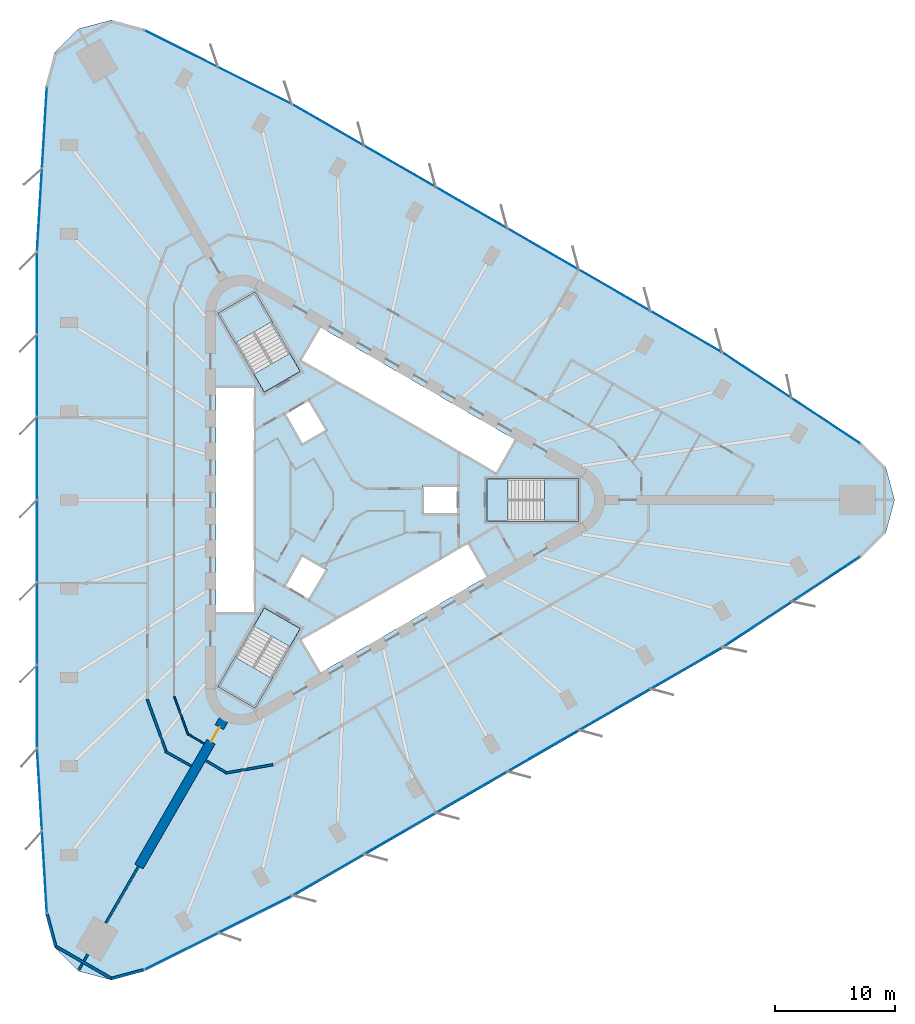
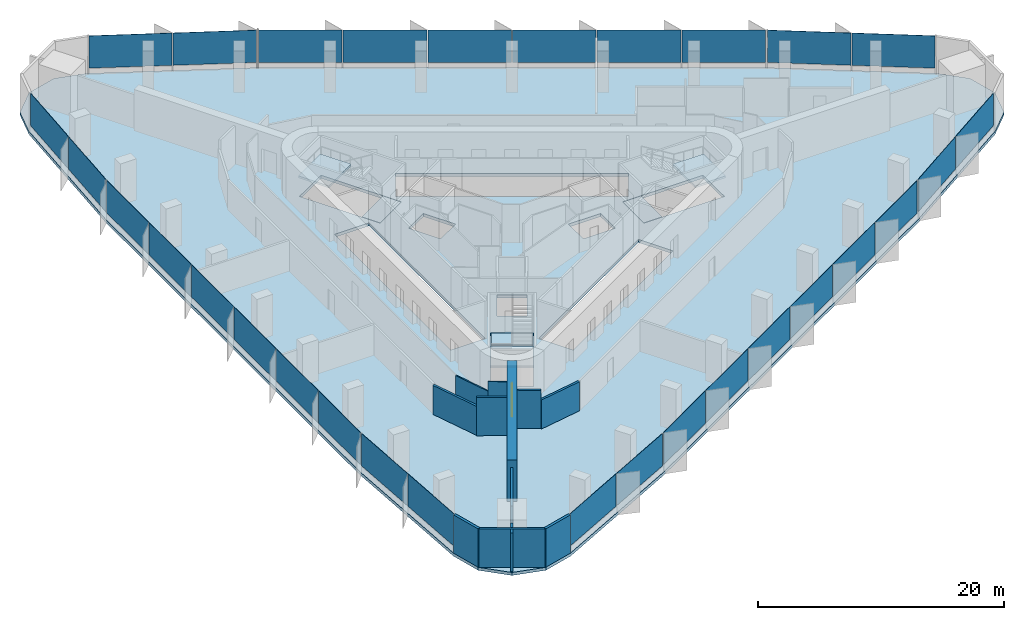
# One storey, part 8 of 14: 30 plates, 13 walls, 7 slabs, 1 door, 1 opening, 12 elements without a shape of their own.
"""IFC4 building model written with IfcOpenShell, lengths in metres."""

from ifc_helpers import new_model, si_unit, direction, frame, frame_2d, origin, origin_2d, place, context, subcontext, project, spatial, polyline, rectangle, outline, extrude, material, layer, layer_set, type_object, element, fill, aggregate, save


model = new_model("IFC4")

# Units and contexts
model_context = context("Model", 3, precision=1e-05, world=origin(), true_north=direction((0.0, 1.0)))
body_context = subcontext(model_context, "Body", "Model", "MODEL_VIEW")
ifc_project = project(units=[si_unit("LENGTHUNIT", "METRE"), si_unit("AREAUNIT", "SQUARE_METRE"), si_unit("VOLUMEUNIT", "CUBIC_METRE"), si_unit("PLANEANGLEUNIT", "RADIAN"), si_unit("MASSUNIT", "GRAM", prefix="KILO")], contexts=[model_context])

# Site, building, storey
site_placement = place(None, origin())
site = spatial("IfcSite", under=ifc_project, at=site_placement, CompositionType="ELEMENT")
building_placement = place(site_placement, origin())
building = spatial("IfcBuilding", under=site, at=building_placement, Name="Tanit Gate Tower", CompositionType="ELEMENT")
storey_placement = place(building_placement, frame((0.0, 0.0, 53.699951171875)))
storey = spatial("IfcBuildingStorey", under=building, at=storey_placement, Name="L09", CompositionType="ELEMENT", Elevation=53.699951171875)

# Slab
ifc_material_1 = material(Name="Concrete C35/45", Category="concrete")
ifc_layer_1 = layer(ifc_material_1, 0.300048828125)
ifc_layer_set_1 = layer_set([ifc_layer_1], Name="FLOOR SLAB 300 C35/45")
slab_type_1 = type_object("IfcSlabType", Name="FLOOR SLAB 300 C35/45", PredefinedType="FLOOR", material=ifc_layer_set_1)
slab_1_placement = place(storey_placement, frame((0.0, 0.0, -0.300048828125)))
element("IfcSlab", 1, at=slab_1_placement, inside=storey, type_object=slab_type_1, Name="FLOOR SLAB L09", PredefinedType="FLOOR", context=body_context, shape_type="SweptSolid", body=[
    extrude(outline(polyline([(42.5634765625, 4.75927734375), (44.574951171875, 2.747802734375), (45.311279296875, 0.0), (44.574951171875, -2.747802734375), (42.5634765625, -4.75927734375), (31.030517578125, -12.368896484375), (-4.80224609375, -33.06005859375), (-17.16015625, -39.24072265625), (-19.907958984375, -39.97705078125), (-22.655517578125, -39.24072265625), (-24.6669921875, -37.229248046875), (-25.4033203125, -34.4814453125), (-26.22705078125, -20.68896484375), (-26.229736328125, 20.68896484375), (-25.4033203125, 34.4814453125), (-24.6669921875, 37.229248046875), (-22.655517578125, 39.24072265625), (-19.907958984375, 39.97705078125), (-17.16015625, 39.24072265625), (-4.8037109375, 33.0576171875), (31.031982421875, 12.371337890625), (42.5634765625, 4.75927734375)]), holes=[polyline([(11.3701171875, 1.72998046875), (18.929931640625, 1.72998046875), (18.929931640625, -1.72998046875), (11.3701171875, -1.72998046875), (11.3701171875, 1.72998046875)]), polyline([(-4.208984375, 11.60986328125), (-2.583984375, 14.424560546875), (13.783935546875, 4.974609375), (12.158935546875, 2.159912109375), (-4.208984375, 11.60986328125)]), polyline([(-4.208984375, -11.60986328125), (9.82080078125, -3.510009765625), (11.44580078125, -6.324462890625), (-2.583984375, -14.424560546875), (-4.208984375, -11.60986328125)]), polyline([(9.0, 1.199951171875), (9.0, -1.199951171875), (6.0, -1.199951171875), (6.0, 1.199951171875), (9.0, 1.199951171875)]), polyline([(-5.539306640625, 7.194091796875), (-3.460693359375, 8.394287109375), (-1.960693359375, 5.796142578125), (-4.039306640625, 4.59619140625), (-5.539306640625, 7.194091796875)]), polyline([(-1.960693359375, -5.796142578125), (-3.460693359375, -8.394287109375), (-5.539306640625, -7.194091796875), (-4.039306640625, -4.59619140625), (-1.960693359375, -5.796142578125)]), polyline([(-10.963134765625, 15.52880859375), (-7.966796875, 17.2587890625), (-4.186767578125, 10.711669921875), (-7.18310546875, 8.981689453125), (-10.963134765625, 15.52880859375)]), polyline([(-4.186767578125, -10.711669921875), (-7.966796875, -17.2587890625), (-10.963134765625, -15.52880859375), (-7.18310546875, -8.981689453125), (-4.186767578125, -10.711669921875)]), polyline([(-11.199951171875, -9.449951171875), (-11.199951171875, 9.449951171875), (-7.949951171875, 9.449951171875), (-7.949951171875, -9.449951171875), (-11.199951171875, -9.449951171875)])]), origin(), (0.0, 0.0, 1.0), 0.300048828125),
])

# Curtain wall, plates
ifc_material_2 = material(Name="Aluminium bronze anodised and glass", Category="aluminium")
curtain_wall_type = type_object("IfcCurtainWallType", Name="Curtain wall typical low", PredefinedType="NOTDEFINED", material=ifc_material_2)
curtain_wall_1_placement = place(storey_placement, origin())
curtain_wall_1 = element("IfcCurtainWall", 2, at=curtain_wall_1_placement, inside=storey, type_object=curtain_wall_type, Name="Curtain wall L09 NE1", PredefinedType="NOTDEFINED")
ifc_material_3 = material(Name="Glass tinted", Category="glass")
ifc_layer_2 = layer(ifc_material_3, 0.031982421875)
ifc_layer_set_2 = layer_set([ifc_layer_2], Name="Glass panel 32 typical low")
plate_type = type_object("IfcPlateType", Name="Glass panel 32 typical low", PredefinedType="CURTAIN_PANEL", material=ifc_layer_set_2)
plate_1_placement = place(storey_placement, frame((39.591064453125, 6.57763671875, 0.60009765625), z_axis=(0.0, 0.0, 1.0), x_axis=(-0.834569178545, 0.550903155031, 0.0)))
plate_1 = element("IfcPlate", 3, at=plate_1_placement, type_object=plate_type, Name="Glass panel L09 NE1.1", PredefinedType="CURTAIN_PANEL", context=body_context, shape_type="SweptSolid", body=[
    extrude(rectangle(XDim=6.78076171875, YDim=0.031982421875, at=origin_2d()), origin(), (0.0, 0.0, 1.0), 3.199951171875),
])
plate_2_placement = place(storey_placement, frame((33.865234375, 10.357421875, 0.60009765625), z_axis=(0.0, 0.0, 1.0), x_axis=(-0.834569178545, 0.550903155031, 0.0)))
plate_2 = element("IfcPlate", 4, at=plate_2_placement, type_object=plate_type, Name="Glass panel L09 NE1.2", PredefinedType="CURTAIN_PANEL", context=body_context, shape_type="SweptSolid", body=[
    extrude(rectangle(XDim=6.78076171875, YDim=0.031982421875, at=origin_2d()), origin(), (0.0, 0.0, 1.0), 3.199951171875),
])
aggregate(curtain_wall_1, [plate_1, plate_2])

curtain_wall_2_placement = place(storey_placement, origin())
curtain_wall_2 = element("IfcCurtainWall", 5, at=curtain_wall_2_placement, inside=storey, type_object=curtain_wall_type, Name="Curtain wall L09 NE2", PredefinedType="NOTDEFINED")
plate_3_placement = place(storey_placement, frame((27.954345703125, 14.00927734375, 0.60009765625), z_axis=(0.0, 0.0, 1.0), x_axis=(-0.866060071089, 0.49993994966, 0.0)))
plate_3 = element("IfcPlate", 6, at=plate_3_placement, type_object=plate_type, Name="Glass panel L09 NE2.1", PredefinedType="CURTAIN_PANEL", context=body_context, shape_type="SweptSolid", body=[
    extrude(rectangle(XDim=6.8017578125, YDim=0.031982421875, at=origin_2d()), origin(), (0.0, 0.0, 1.0), 3.199951171875),
])
plate_4_placement = place(storey_placement, frame((21.994140625, 17.449951171875, 0.60009765625), z_axis=(0.0, 0.0, 1.0), x_axis=(-0.866060071089, 0.49993994966, 0.0)))
plate_4 = element("IfcPlate", 7, at=plate_4_placement, type_object=plate_type, Name="Glass panel L09 NE2.2", PredefinedType="CURTAIN_PANEL", context=body_context, shape_type="SweptSolid", body=[
    extrude(rectangle(XDim=6.8017578125, YDim=0.031982421875, at=origin_2d()), origin(), (0.0, 0.0, 1.0), 3.199951171875),
])
plate_5_placement = place(storey_placement, frame((16.0341796875, 20.890380859375, 0.60009765625), z_axis=(0.0, 0.0, 1.0), x_axis=(-0.866060071089, 0.49993994966, 0.0)))
plate_5 = element("IfcPlate", 8, at=plate_5_placement, type_object=plate_type, Name="Glass panel L09 NE2.3", PredefinedType="CURTAIN_PANEL", context=body_context, shape_type="SweptSolid", body=[
    extrude(rectangle(XDim=6.8017578125, YDim=0.031982421875, at=origin_2d()), origin(), (0.0, 0.0, 1.0), 3.199951171875),
])
plate_6_placement = place(storey_placement, frame((10.07421875, 24.330810546875, 0.60009765625), z_axis=(0.0, 0.0, 1.0), x_axis=(-0.866060071089, 0.49993994966, 0.0)))
plate_6 = element("IfcPlate", 9, at=plate_6_placement, type_object=plate_type, Name="Glass panel L09 NE2.4", PredefinedType="CURTAIN_PANEL", context=body_context, shape_type="SweptSolid", body=[
    extrude(rectangle(XDim=6.8017578125, YDim=0.031982421875, at=origin_2d()), origin(), (0.0, 0.0, 1.0), 3.199951171875),
])
plate_7_placement = place(storey_placement, frame((4.1142578125, 27.771240234375, 0.60009765625), z_axis=(0.0, 0.0, 1.0), x_axis=(-0.866060071089, 0.49993994966, 0.0)))
plate_7 = element("IfcPlate", 10, at=plate_7_placement, type_object=plate_type, Name="Glass panel L09 NE2.5", PredefinedType="CURTAIN_PANEL", context=body_context, shape_type="SweptSolid", body=[
    extrude(rectangle(XDim=6.8017578125, YDim=0.031982421875, at=origin_2d()), origin(), (0.0, 0.0, 1.0), 3.199951171875),
])
plate_8_placement = place(storey_placement, frame((-1.845703125, 31.211669921875, 0.60009765625), z_axis=(0.0, 0.0, 1.0), x_axis=(-0.866060071089, 0.49993994966, 0.0)))
plate_8 = element("IfcPlate", 11, at=plate_8_placement, type_object=plate_type, Name="Glass panel L09 NE2.6", PredefinedType="CURTAIN_PANEL", context=body_context, shape_type="SweptSolid", body=[
    extrude(rectangle(XDim=6.8017578125, YDim=0.031982421875, at=origin_2d()), origin(), (0.0, 0.0, 1.0), 3.199951171875),
])
aggregate(curtain_wall_2, [plate_3, plate_4, plate_5, plate_6, plate_7, plate_8])

curtain_wall_3_placement = place(storey_placement, origin())
curtain_wall_3 = element("IfcCurtainWall", 12, at=curtain_wall_3_placement, inside=storey, type_object=curtain_wall_type, Name="Curtain wall L09 NE3", PredefinedType="NOTDEFINED")
plate_9_placement = place(storey_placement, frame((-7.9638671875, 34.5048828125, 0.60009765625), z_axis=(0.0, 0.0, 1.0), x_axis=(-0.894287982019, 0.447491905196, 0.0)))
plate_9 = element("IfcPlate", 13, at=plate_9_placement, type_object=plate_type, Name="Glass panel L09 NE3.1", PredefinedType="CURTAIN_PANEL", context=body_context, shape_type="SweptSolid", body=[
    extrude(rectangle(XDim=6.78076171875, YDim=0.031982421875, at=origin_2d()), origin(), (0.0, 0.0, 1.0), 3.199951171875),
])
plate_10_placement = place(storey_placement, frame((-14.099365234375, 37.574951171875, 0.60009765625), z_axis=(0.0, 0.0, 1.0), x_axis=(-0.894287982019, 0.447491905196, 0.0)))
plate_10 = element("IfcPlate", 14, at=plate_10_placement, type_object=plate_type, Name="Glass panel L09 NE3.2", PredefinedType="CURTAIN_PANEL", context=body_context, shape_type="SweptSolid", body=[
    extrude(rectangle(XDim=6.78076171875, YDim=0.031982421875, at=origin_2d()), origin(), (0.0, 0.0, 1.0), 3.199951171875),
])
aggregate(curtain_wall_3, [plate_9, plate_10])

curtain_wall_4_placement = place(storey_placement, origin())
curtain_wall_4 = element("IfcCurtainWall", 15, at=curtain_wall_4_placement, inside=storey, type_object=curtain_wall_type, Name="Curtain wall L09 W1", PredefinedType="NOTDEFINED")
plate_11_placement = place(storey_placement, frame((-25.491943359375, 30.998046875, 0.60009765625), z_axis=(0.0, 0.0, 1.0), x_axis=(-0.059811538009, -0.998209687351, 0.0)))
plate_11 = element("IfcPlate", 16, at=plate_11_placement, type_object=plate_type, Name="Glass panel L09 W1.1", PredefinedType="CURTAIN_PANEL", context=body_context, shape_type="SweptSolid", body=[
    extrude(rectangle(XDim=6.78076171875, YDim=0.031982421875, at=origin_2d()), origin(), (0.0, 0.0, 1.0), 3.199951171875),
])
plate_12_placement = place(storey_placement, frame((-25.90234375, 24.1494140625, 0.60009765625), z_axis=(0.0, 0.0, 1.0), x_axis=(-0.059811538009, -0.998209687351, 0.0)))
plate_12 = element("IfcPlate", 17, at=plate_12_placement, type_object=plate_type, Name="Glass panel L09 W1.2", PredefinedType="CURTAIN_PANEL", context=body_context, shape_type="SweptSolid", body=[
    extrude(rectangle(XDim=6.78076171875, YDim=0.031982421875, at=origin_2d()), origin(), (0.0, 0.0, 1.0), 3.199951171875),
])
aggregate(curtain_wall_4, [plate_11, plate_12])

curtain_wall_5_placement = place(storey_placement, origin())
curtain_wall_5 = element("IfcCurtainWall", 18, at=curtain_wall_5_placement, inside=storey, type_object=curtain_wall_type, Name="Curtain wall L09 W2", PredefinedType="NOTDEFINED")
plate_13_placement = place(storey_placement, frame((-26.109619140625, 17.204345703125, 0.60009765625), z_axis=(0.0, 0.0, 1.0), x_axis=(6.9338772e-05, -0.999999997596, 0.0)))
plate_13 = element("IfcPlate", 19, at=plate_13_placement, type_object=plate_type, Name="Glass panel L09 W2.1", PredefinedType="CURTAIN_PANEL", context=body_context, shape_type="SweptSolid", body=[
    extrude(rectangle(XDim=6.8017578125, YDim=0.031982421875, at=origin_2d()), origin(), (0.0, 0.0, 1.0), 3.199951171875),
])
plate_14_placement = place(storey_placement, frame((-26.109130859375, 10.322509765625, 0.60009765625), z_axis=(0.0, 0.0, 1.0), x_axis=(6.9338772e-05, -0.999999997596, 0.0)))
plate_14 = element("IfcPlate", 20, at=plate_14_placement, type_object=plate_type, Name="Glass panel L09 W2.2", PredefinedType="CURTAIN_PANEL", context=body_context, shape_type="SweptSolid", body=[
    extrude(rectangle(XDim=6.8017578125, YDim=0.031982421875, at=origin_2d()), origin(), (0.0, 0.0, 1.0), 3.199951171875),
])
plate_15_placement = place(storey_placement, frame((-26.108642578125, 3.44091796875, 0.60009765625), z_axis=(0.0, 0.0, 1.0), x_axis=(6.9338772e-05, -0.999999997596, 0.0)))
plate_15 = element("IfcPlate", 21, at=plate_15_placement, type_object=plate_type, Name="Glass panel L09 W2.3", PredefinedType="CURTAIN_PANEL", context=body_context, shape_type="SweptSolid", body=[
    extrude(rectangle(XDim=6.8017578125, YDim=0.031982421875, at=origin_2d()), origin(), (0.0, 0.0, 1.0), 3.199951171875),
])
plate_16_placement = place(storey_placement, frame((-26.108154296875, -3.44091796875, 0.60009765625), z_axis=(0.0, 0.0, 1.0), x_axis=(6.9338772e-05, -0.999999997596, 0.0)))
plate_16 = element("IfcPlate", 22, at=plate_16_placement, type_object=plate_type, Name="Glass panel L09 W2.4", PredefinedType="CURTAIN_PANEL", context=body_context, shape_type="SweptSolid", body=[
    extrude(rectangle(XDim=6.8017578125, YDim=0.031982421875, at=origin_2d()), origin(), (0.0, 0.0, 1.0), 3.199951171875),
])
plate_17_placement = place(storey_placement, frame((-26.107666015625, -10.322509765625, 0.60009765625), z_axis=(0.0, 0.0, 1.0), x_axis=(6.9338772e-05, -0.999999997596, 0.0)))
plate_17 = element("IfcPlate", 23, at=plate_17_placement, type_object=plate_type, Name="Glass panel L09 W2.5", PredefinedType="CURTAIN_PANEL", context=body_context, shape_type="SweptSolid", body=[
    extrude(rectangle(XDim=6.8017578125, YDim=0.031982421875, at=origin_2d()), origin(), (0.0, 0.0, 1.0), 3.199951171875),
])
plate_18_placement = place(storey_placement, frame((-26.107177734375, -17.204345703125, 0.60009765625), z_axis=(0.0, 0.0, 1.0), x_axis=(6.9338772e-05, -0.999999997596, 0.0)))
plate_18 = element("IfcPlate", 24, at=plate_18_placement, type_object=plate_type, Name="Glass panel L09 W2.6", PredefinedType="CURTAIN_PANEL", context=body_context, shape_type="SweptSolid", body=[
    extrude(rectangle(XDim=6.8017578125, YDim=0.031982421875, at=origin_2d()), origin(), (0.0, 0.0, 1.0), 3.199951171875),
])
aggregate(curtain_wall_5, [plate_13, plate_14, plate_15, plate_16, plate_17, plate_18])

curtain_wall_6_placement = place(storey_placement, origin())
curtain_wall_6 = element("IfcCurtainWall", 25, at=curtain_wall_6_placement, inside=storey, type_object=curtain_wall_type, Name="Curtain wall L09 W3", PredefinedType="NOTDEFINED")
plate_19_placement = place(storey_placement, frame((-25.900146484375, -24.1494140625, 0.60009765625), z_axis=(0.0, 0.0, 1.0), x_axis=(0.059604633121, -0.998222063326, 0.0)))
plate_19 = element("IfcPlate", 26, at=plate_19_placement, type_object=plate_type, Name="Glass panel L09 W3.1", PredefinedType="CURTAIN_PANEL", context=body_context, shape_type="SweptSolid", body=[
    extrude(rectangle(XDim=6.78076171875, YDim=0.031982421875, at=origin_2d()), origin(), (0.0, 0.0, 1.0), 3.199951171875),
])
plate_20_placement = place(storey_placement, frame((-25.4912109375, -30.998046875, 0.60009765625), z_axis=(0.0, 0.0, 1.0), x_axis=(0.059604633121, -0.998222063326, 0.0)))
plate_20 = element("IfcPlate", 27, at=plate_20_placement, type_object=plate_type, Name="Glass panel L09 W3.2", PredefinedType="CURTAIN_PANEL", context=body_context, shape_type="SweptSolid", body=[
    extrude(rectangle(XDim=6.78076171875, YDim=0.031982421875, at=origin_2d()), origin(), (0.0, 0.0, 1.0), 3.199951171875),
])
aggregate(curtain_wall_6, [plate_19, plate_20])

curtain_wall_7_placement = place(storey_placement, origin())
curtain_wall_7 = element("IfcCurtainWall", 28, at=curtain_wall_7_placement, inside=storey, type_object=curtain_wall_type, Name="Curtain wall L09 SE1", PredefinedType="NOTDEFINED")
plate_21_placement = place(storey_placement, frame((-14.09912109375, -37.57568359375, 0.60009765625), z_axis=(0.0, 0.0, 1.0), x_axis=(0.894380716554, 0.44730653232, 0.0)))
plate_21 = element("IfcPlate", 29, at=plate_21_placement, type_object=plate_type, Name="Glass panel L09 SE1.1", PredefinedType="CURTAIN_PANEL", context=body_context, shape_type="SweptSolid", body=[
    extrude(rectangle(XDim=6.78076171875, YDim=0.031982421875, at=origin_2d()), origin(), (0.0, 0.0, 1.0), 3.199951171875),
])
plate_22_placement = place(storey_placement, frame((-7.962890625, -34.5068359375, 0.60009765625), z_axis=(0.0, 0.0, 1.0), x_axis=(0.894380716554, 0.44730653232, 0.0)))
plate_22 = element("IfcPlate", 30, at=plate_22_placement, type_object=plate_type, Name="Glass panel L09 SE1.2", PredefinedType="CURTAIN_PANEL", context=body_context, shape_type="SweptSolid", body=[
    extrude(rectangle(XDim=6.78076171875, YDim=0.031982421875, at=origin_2d()), origin(), (0.0, 0.0, 1.0), 3.199951171875),
])
aggregate(curtain_wall_7, [plate_21, plate_22])

curtain_wall_8_placement = place(storey_placement, origin())
curtain_wall_8 = element("IfcCurtainWall", 31, at=curtain_wall_8_placement, inside=storey, type_object=curtain_wall_type, Name="Curtain wall L09 SE2", PredefinedType="NOTDEFINED")
plate_23_placement = place(storey_placement, frame((-1.8447265625, -31.2138671875, 0.60009765625), z_axis=(0.0, 0.0, 1.0), x_axis=(0.865990732317, 0.500060047936, 0.0)))
plate_23 = element("IfcPlate", 32, at=plate_23_placement, type_object=plate_type, Name="Glass panel L09 SE2.1", PredefinedType="CURTAIN_PANEL", context=body_context, shape_type="SweptSolid", body=[
    extrude(rectangle(XDim=6.8017578125, YDim=0.031982421875, at=origin_2d()), origin(), (0.0, 0.0, 1.0), 3.199951171875),
])
plate_24_placement = place(storey_placement, frame((4.114990234375, -27.7724609375, 0.60009765625), z_axis=(0.0, 0.0, 1.0), x_axis=(0.865990732317, 0.500060047936, 0.0)))
plate_24 = element("IfcPlate", 33, at=plate_24_placement, type_object=plate_type, Name="Glass panel L09 SE2.2", PredefinedType="CURTAIN_PANEL", context=body_context, shape_type="SweptSolid", body=[
    extrude(rectangle(XDim=6.8017578125, YDim=0.031982421875, at=origin_2d()), origin(), (0.0, 0.0, 1.0), 3.199951171875),
])
plate_25_placement = place(storey_placement, frame((10.074462890625, -24.331298828125, 0.60009765625), z_axis=(0.0, 0.0, 1.0), x_axis=(0.865990732317, 0.500060047936, 0.0)))
plate_25 = element("IfcPlate", 34, at=plate_25_placement, type_object=plate_type, Name="Glass panel L09 SE2.3", PredefinedType="CURTAIN_PANEL", context=body_context, shape_type="SweptSolid", body=[
    extrude(rectangle(XDim=6.8017578125, YDim=0.031982421875, at=origin_2d()), origin(), (0.0, 0.0, 1.0), 3.199951171875),
])
plate_26_placement = place(storey_placement, frame((16.033935546875, -20.889892578125, 0.60009765625), z_axis=(0.0, 0.0, 1.0), x_axis=(0.865990732317, 0.500060047936, 0.0)))
plate_26 = element("IfcPlate", 35, at=plate_26_placement, type_object=plate_type, Name="Glass panel L09 SE2.4", PredefinedType="CURTAIN_PANEL", context=body_context, shape_type="SweptSolid", body=[
    extrude(rectangle(XDim=6.8017578125, YDim=0.031982421875, at=origin_2d()), origin(), (0.0, 0.0, 1.0), 3.199951171875),
])
plate_27_placement = place(storey_placement, frame((21.993408203125, -17.44873046875, 0.60009765625), z_axis=(0.0, 0.0, 1.0), x_axis=(0.865990732317, 0.500060047936, 0.0)))
plate_27 = element("IfcPlate", 36, at=plate_27_placement, type_object=plate_type, Name="Glass panel L09 SE2.5", PredefinedType="CURTAIN_PANEL", context=body_context, shape_type="SweptSolid", body=[
    extrude(rectangle(XDim=6.8017578125, YDim=0.031982421875, at=origin_2d()), origin(), (0.0, 0.0, 1.0), 3.199951171875),
])
plate_28_placement = place(storey_placement, frame((27.953125, -14.00732421875, 0.60009765625), z_axis=(0.0, 0.0, 1.0), x_axis=(0.865990732317, 0.500060047936, 0.0)))
plate_28 = element("IfcPlate", 37, at=plate_28_placement, type_object=plate_type, Name="Glass panel L09 SE2.6", PredefinedType="CURTAIN_PANEL", context=body_context, shape_type="SweptSolid", body=[
    extrude(rectangle(XDim=6.8017578125, YDim=0.031982421875, at=origin_2d()), origin(), (0.0, 0.0, 1.0), 3.199951171875),
])
aggregate(curtain_wall_8, [plate_23, plate_24, plate_25, plate_26, plate_27, plate_28])

curtain_wall_9_placement = place(storey_placement, origin())
curtain_wall_9 = element("IfcCurtainWall", 38, at=curtain_wall_9_placement, inside=storey, type_object=curtain_wall_type, Name="Curtain wall L09 SE3", PredefinedType="NOTDEFINED")
plate_29_placement = place(storey_placement, frame((33.864013671875, -10.35546875, 0.60009765625), z_axis=(0.0, 0.0, 1.0), x_axis=(0.834683348898, 0.550730158129, 0.0)))
plate_29 = element("IfcPlate", 39, at=plate_29_placement, type_object=plate_type, Name="Glass panel L09 SE3.1", PredefinedType="CURTAIN_PANEL", context=body_context, shape_type="SweptSolid", body=[
    extrude(rectangle(XDim=6.78076171875, YDim=0.031982421875, at=origin_2d()), origin(), (0.0, 0.0, 1.0), 3.199951171875),
])
plate_30_placement = place(storey_placement, frame((39.590576171875, -6.5771484375, 0.60009765625), z_axis=(0.0, 0.0, 1.0), x_axis=(0.834683348898, 0.550730158129, 0.0)))
plate_30 = element("IfcPlate", 40, at=plate_30_placement, type_object=plate_type, Name="Glass panel L09 SE3.2", PredefinedType="CURTAIN_PANEL", context=body_context, shape_type="SweptSolid", body=[
    extrude(rectangle(XDim=6.78076171875, YDim=0.031982421875, at=origin_2d()), origin(), (0.0, 0.0, 1.0), 3.199951171875),
])
aggregate(curtain_wall_9, [plate_29, plate_30])

# Stair, slab
ifc_material_4 = material(Name="Concrete C40/50", Category="concrete")
stair_type = type_object("IfcStairType", Name="INT-STAIR-EXIT", PredefinedType="HALF_TURN_STAIR", material=ifc_material_4)
stair_1_placement = place(storey_placement, origin())
stair_1 = element("IfcStair", 41, at=stair_1_placement, inside=storey, type_object=stair_type, Name="L09 STAIR S1", PredefinedType="HALF_TURN_STAIR")
ifc_material_5 = material(Name="Concrete C40/50", Category="concrete")
ifc_layer_3 = layer(ifc_material_5, 0.199951171875)
ifc_layer_set_3 = layer_set([ifc_layer_3], Name="INT-STAIR-LANDING")
slab_type_2 = type_object("IfcSlabType", Name="INT-STAIR-LANDING", PredefinedType="LANDING", material=ifc_layer_set_3)
slab_2_placement = place(storey_placement, frame((0.0, 0.0, 1.85009765625)))
slab_2 = element("IfcSlab", 42, at=slab_2_placement, type_object=slab_type_2, Name="S1 landing 1", PredefinedType="LANDING", context=body_context, shape_type="SweptSolid", body=[
    extrude(outline(polyline([(16.135986328125, -1.800048828125), (19.0, -1.800048828125), (19.0, 1.800048828125), (16.135986328125, 1.800048828125), (16.135986328125, -1.800048828125)])), origin(), (0.0, 0.0, 1.0), 0.199951171875),
])
aggregate(stair_1, [slab_2])

# Slab
slab_3_placement = place(storey_placement, frame((0.0, 0.0, -0.199951171875)))
element("IfcSlab", 43, at=slab_3_placement, inside=storey, type_object=slab_type_2, Name="S1 floor landing", PredefinedType="LANDING", context=body_context, shape_type="SweptSolid", body=[
    extrude(outline(polyline([(11.3798828125, -1.719970703125), (13.10498046875, -1.719970703125), (13.10498046875, 1.719970703125), (11.3798828125, 1.719970703125), (11.3798828125, -1.719970703125)])), origin(), (0.0, 0.0, 1.0), 0.199951171875),
])

# Stair, slab
stair_2_placement = place(storey_placement, origin())
stair_2 = element("IfcStair", 44, at=stair_2_placement, inside=storey, type_object=stair_type, Name="L09 STAIR S2", PredefinedType="HALF_TURN_STAIR")
slab_4_placement = place(storey_placement, frame((0.0, 0.0, 1.85009765625)))
slab_4 = element("IfcSlab", 45, at=slab_4_placement, type_object=slab_type_2, Name="S2 landing 1", PredefinedType="LANDING", context=body_context, shape_type="SweptSolid", body=[
    extrude(outline(polyline([(-6.5078125, 14.871826171875), (-7.941162109375, 17.3544921875), (-11.058837890625, 15.554443359375), (-9.62548828125, 13.07177734375), (-6.5078125, 14.871826171875)])), origin(), (0.0, 0.0, 1.0), 0.199951171875),
])
aggregate(stair_2, [slab_4])

# Slab
slab_5_placement = place(storey_placement, frame((0.0, 0.0, -0.199951171875)))
element("IfcSlab", 46, at=slab_5_placement, inside=storey, type_object=slab_type_2, Name="S2 floor landing", PredefinedType="LANDING", context=body_context, shape_type="SweptSolid", body=[
    extrude(outline(polyline([(-4.200439453125, 10.71533203125), (-5.0625, 12.20849609375), (-8.04150390625, 10.48828125), (-7.179443359375, 8.995361328125), (-4.200439453125, 10.71533203125)])), origin(), (0.0, 0.0, 1.0), 0.199951171875),
])

# Stair, slab
stair_3_placement = place(storey_placement, origin())
stair_3 = element("IfcStair", 47, at=stair_3_placement, inside=storey, type_object=stair_type, Name="L09 STAIR S3", PredefinedType="HALF_TURN_STAIR")
slab_6_placement = place(storey_placement, frame((0.0, 0.0, 1.85009765625)))
slab_6 = element("IfcSlab", 48, at=slab_6_placement, type_object=slab_type_2, Name="S3 landing 1", PredefinedType="LANDING", context=body_context, shape_type="SweptSolid", body=[
    extrude(outline(polyline([(-9.626953125, -13.07421875), (-11.058837890625, -15.554443359375), (-7.941162109375, -17.3544921875), (-6.509033203125, -14.874267578125), (-9.626953125, -13.07421875)])), origin(), (0.0, 0.0, 1.0), 0.199951171875),
])
aggregate(stair_3, [slab_6])

# Slab
slab_7_placement = place(storey_placement, frame((0.0, 0.0, -0.199951171875)))
element("IfcSlab", 49, at=slab_7_placement, inside=storey, type_object=slab_type_2, Name="S3 floor landing", PredefinedType="LANDING", context=body_context, shape_type="SweptSolid", body=[
    extrude(outline(polyline([(-7.179443359375, -8.995361328125), (-8.0419921875, -10.4892578125), (-5.06298828125, -12.209228515625), (-4.200439453125, -10.71533203125), (-7.179443359375, -8.995361328125)])), origin(), (0.0, 0.0, 1.0), 0.199951171875),
])

# Wall, opening, door
ifc_material_6 = material(Name="Concrete C60/75", Category="concrete")
ifc_layer_4 = layer(ifc_material_6, 0.800048828125)
ifc_layer_set_4 = layer_set([ifc_layer_4], Name="BUTTRESS FIN 800 C60/75")
wall_type_1 = type_object("IfcWallType", Name="BUTTRESS FIN 800 C60/75", PredefinedType="SHEAR", material=ifc_layer_set_4)
wall_1_placement = place(storey_placement, frame((-10.574951171875, -18.31640625, 0.0), z_axis=(0.0, 0.0, 1.0), x_axis=(-0.499996272984, -0.866027555568, 0.0)))
wall_1 = element("IfcWall", 50, at=wall_1_placement, inside=storey, type_object=wall_type_1, Name="BUTTRESS FIN", PredefinedType="SHEAR", context=body_context, shape_type="SweptSolid", body=[
    extrude(rectangle(XDim=14.09814453125, YDim=0.800048828125, at=frame_2d((7.049072265625, 0.0))), origin(), (0.0, 0.0, 1.0), 4.10009765625),
])
opening_placement = place(wall_1_placement, frame((0.699951171875, 0.0, 0.0)))
opening = element("IfcOpeningElement", 51, at=opening_placement, cuts=wall_1, Name="Opening P14-S00-F-SW-1", PredefinedType="OPENING", context=body_context, shape_type="SweptSolid", body=[
    extrude(rectangle(XDim=1.39990234375, YDim=2.39990234375, at=frame_2d((0.699951171875, 1.199951171875))), frame((0.0, 0.41015625, 0.0), z_axis=(0.0, -1.0, 0.0), x_axis=(1.0, 0.0, 0.0)), (0.0, 0.0, 1.0), 0.820068359375),
])
ifc_material_7 = material(Name="Timber door leaf", Category="wood")
door_type = type_object("IfcDoorType", Name="INT-DOOR-FIN-PAIR-1400", OperationType="NOTDEFINED", PredefinedType="NOTDEFINED", material=ifc_material_7)
door_placement = place(opening_placement, origin())
door = element("IfcDoor", 52, at=door_placement, inside=storey, type_object=door_type, Name="Door P14-S00-F-SW-1", OperationType="DOUBLE_DOOR_SINGLE_SWING", OverallHeight=2.39990234375, OverallWidth=1.39990234375, PredefinedType="NOTDEFINED", context=body_context, shape_type="SweptSolid", body=[
    extrude(rectangle(XDim=1.39990234375, YDim=2.39990234375, at=frame_2d((0.699951171875, 1.199951171875))), frame((0.0, 0.02490234375, 0.0), z_axis=(0.0, -1.0, 0.0), x_axis=(1.0, 0.0, 0.0)), (0.0, 0.0, 1.0), 0.050048828125),
])
fill(opening, door)

# Walls
ifc_material_8 = material(Name="Concrete C30/37 with bronze anodised aluminium cladding", Category="concrete")
ifc_layer_5 = layer(ifc_material_8, 0.239990234375)
ifc_layer_set_5 = layer_set([ifc_layer_5], Name="Facade wall bronze clad 240")
wall_type_2 = type_object("IfcWallType", Name="Facade wall bronze clad 240", PredefinedType="SOLIDWALL", material=ifc_layer_set_5)
wall_2_placement = place(storey_placement, frame((-25.284423828125, -34.462158203125, 0.0), z_axis=(0.0, 0.0, 1.0), x_axis=(0.258850842196, -0.965917305723, 0.0)))
element("IfcWall", 53, at=wall_2_placement, inside=storey, type_object=wall_type_2, Name="Bronze-clad facade wall L09 SW.arc1", PredefinedType="SOLIDWALL", context=body_context, shape_type="SweptSolid", body=[
    extrude(rectangle(XDim=2.80029296875, YDim=0.239990234375, at=frame_2d((1.400146484375, 0.0))), origin(), (0.0, 0.0, 1.0), 3.800048828125),
])
wall_3_placement = place(storey_placement, frame((-24.5595703125, -37.1669921875, 0.0), z_axis=(0.0, 0.0, 1.0), x_axis=(0.866010734295, -0.500025407441, 0.0)))
element("IfcWall", 54, at=wall_3_placement, inside=storey, type_object=wall_type_2, Name="Bronze-clad facade wall L09 SW.arc2", PredefinedType="SOLIDWALL", context=body_context, shape_type="SweptSolid", body=[
    extrude(rectangle(XDim=5.371337890625, YDim=0.239990234375, at=frame_2d((2.685546875, 0.0))), origin(), (0.0, 0.0, 1.0), 3.800048828125),
])
wall_4_placement = place(storey_placement, frame((-19.907958984375, -39.852783203125, 0.0), z_axis=(0.0, 0.0, 1.0), x_axis=(0.965923146675, 0.25882904535, 0.0)))
element("IfcWall", 55, at=wall_4_placement, inside=storey, type_object=wall_type_2, Name="Bronze-clad facade wall L09 SW.arc3", PredefinedType="SOLIDWALL", context=body_context, shape_type="SweptSolid", body=[
    extrude(rectangle(XDim=2.800537109375, YDim=0.239990234375, at=frame_2d((1.400390625, 0.0))), origin(), (0.0, 0.0, 1.0), 3.800048828125),
])
ifc_material_9 = material(Name="Fire-rated gypsum board partition")
ifc_layer_6 = layer(ifc_material_9, 0.199951171875)
ifc_layer_set_6 = layer_set([ifc_layer_6], Name="INT-WALL-COMPARTMENT")
wall_type_3 = type_object("IfcWallType", Name="INT-WALL-COMPARTMENT", PredefinedType="PARTITIONING", material=ifc_layer_set_6)
wall_5_placement = place(storey_placement, frame((-15.434814453125, -20.934814453125, 0.0), z_axis=(0.0, 0.0, 1.0), x_axis=(0.871392892797, -0.490585799206, 0.0)))
element("IfcWall", 56, at=wall_5_placement, inside=storey, type_object=wall_type_3, Name="Wall Compartment W093", PredefinedType="PARTITIONING", context=body_context, shape_type="SweptSolid", body=[
    extrude(rectangle(XDim=2.499755859375, YDim=0.199951171875, at=frame_2d((1.25, 0.0))), origin(), (0.0, 0.0, 1.0), 3.800048828125),
])
wall_6_placement = place(storey_placement, frame((-16.93408203125, -16.593505859375, 0.0), z_axis=(0.0, 0.0, 1.0), x_axis=(0.342009657388, -0.939696437289, 0.0)))
element("IfcWall", 57, at=wall_6_placement, inside=storey, type_object=wall_type_3, Name="Wall Compartment W094", PredefinedType="PARTITIONING", context=body_context, shape_type="SweptSolid", body=[
    extrude(rectangle(XDim=4.632080078125, YDim=0.199951171875, at=frame_2d((2.31591796875, 0.0))), origin(), (0.0, 0.0, 1.0), 2.880126953125),
])
wall_7_placement = place(storey_placement, frame((-10.442626953125, -22.7470703125, 0.0), z_axis=(0.0, 0.0, 1.0), x_axis=(0.984812020794, 0.173623972133, 0.0)))
element("IfcWall", 58, at=wall_7_placement, inside=storey, type_object=wall_type_3, Name="Wall Compartment W113", PredefinedType="PARTITIONING", context=body_context, shape_type="SweptSolid", body=[
    extrude(rectangle(XDim=4.056640625, YDim=0.199951171875, at=frame_2d((2.0283203125, 0.0))), origin(), (0.0, 0.0, 1.0), 2.880126953125),
])
wall_8_placement = place(storey_placement, frame((-12.064208984375, -21.69580078125, 0.0), z_axis=(0.0, 0.0, 1.0), x_axis=(0.859769731383, -0.510681905885, 0.0)))
element("IfcWall", 59, at=wall_8_placement, inside=storey, type_object=wall_type_3, Name="Wall Compartment W114", PredefinedType="PARTITIONING", context=body_context, shape_type="SweptSolid", body=[
    extrude(rectangle(XDim=1.97021484375, YDim=0.199951171875, at=frame_2d((0.985107421875, 0.0))), origin(), (0.0, 0.0, 1.0), 3.800048828125),
])
wall_9_placement = place(storey_placement, frame((-17.650146484375, -30.5107421875, 0.0), z_axis=(0.0, 0.0, 1.0), x_axis=(-0.499984217882, -0.866034515403, 0.0)))
element("IfcWall", 60, at=wall_9_placement, inside=storey, type_object=wall_type_3, Name="Wall Compartment W117", PredefinedType="PARTITIONING", context=body_context, shape_type="SweptSolid", body=[
    extrude(rectangle(XDim=5.463134765625, YDim=0.199951171875, at=frame_2d((2.7314453125, 0.0))), origin(), (0.0, 0.0, 1.0), 3.3701171875),
])
wall_10_placement = place(storey_placement, frame((-21.881591796875, -37.840087890625, 0.0), z_axis=(0.0, 0.0, 1.0), x_axis=(-0.499977104415, -0.866038622153, 0.0)))
element("IfcWall", 61, at=wall_10_placement, inside=storey, type_object=wall_type_3, Name="Wall Compartment W116", PredefinedType="PARTITIONING", context=body_context, shape_type="SweptSolid", body=[
    extrude(rectangle(XDim=0.63623046875, YDim=0.199951171875, at=frame_2d((0.318115234375, 0.0))), origin(), (0.0, 0.0, 1.0), 3.800048828125),
])
wall_11_placement = place(storey_placement, frame((-22.319580078125, -38.598876953125, 0.0), z_axis=(0.0, 0.0, 1.0), x_axis=(-0.500222587251, -0.865896854829, 0.0)))
element("IfcWall", 62, at=wall_11_placement, inside=storey, type_object=wall_type_3, Name="Wall Compartment W116x1", PredefinedType="PARTITIONING", context=body_context, shape_type="SweptSolid", body=[
    extrude(rectangle(XDim=0.591552734375, YDim=0.199951171875, at=frame_2d((0.2958984375, 0.0))), origin(), (0.0, 0.0, 1.0), 3.800048828125),
])
ifc_material_10 = material(Name="Gypsum board partition")
ifc_layer_7 = layer(ifc_material_10, 0.1201171875)
ifc_layer_set_7 = layer_set([ifc_layer_7], Name="INT-WALL-PARTITION")
wall_type_4 = type_object("IfcWallType", Name="INT-WALL-PARTITION", PredefinedType="PARTITIONING", material=ifc_layer_set_7)
wall_12_placement = place(storey_placement, frame((-14.679443359375, -16.35595703125, 0.0), z_axis=(0.0, 0.0, 1.0), x_axis=(0.342002052592, -0.939699205077, 0.0)))
element("IfcWall", 63, at=wall_12_placement, inside=storey, type_object=wall_type_4, Name="Wall Partition W091", PredefinedType="PARTITIONING", context=body_context, shape_type="SweptSolid", body=[
    extrude(rectangle(XDim=3.40576171875, YDim=0.1201171875, at=frame_2d((1.702880859375, 0.0))), origin(), (0.0, 0.0, 1.0), 2.880126953125),
])
wall_13_placement = place(storey_placement, frame((-13.51611328125, -19.501220703125, 0.0), z_axis=(0.0, 0.0, 1.0), x_axis=(0.858336816023, -0.513086649856, 0.0)))
element("IfcWall", 64, at=wall_13_placement, inside=storey, type_object=wall_type_4, Name="Wall Partition W092", PredefinedType="PARTITIONING", context=body_context, shape_type="SweptSolid", body=[
    extrude(rectangle(XDim=1.554931640625, YDim=0.1201171875, at=frame_2d((0.77734375, 0.0))), origin(), (0.0, 0.0, 1.0), 3.800048828125),
])

save(model, "model.ifc")
